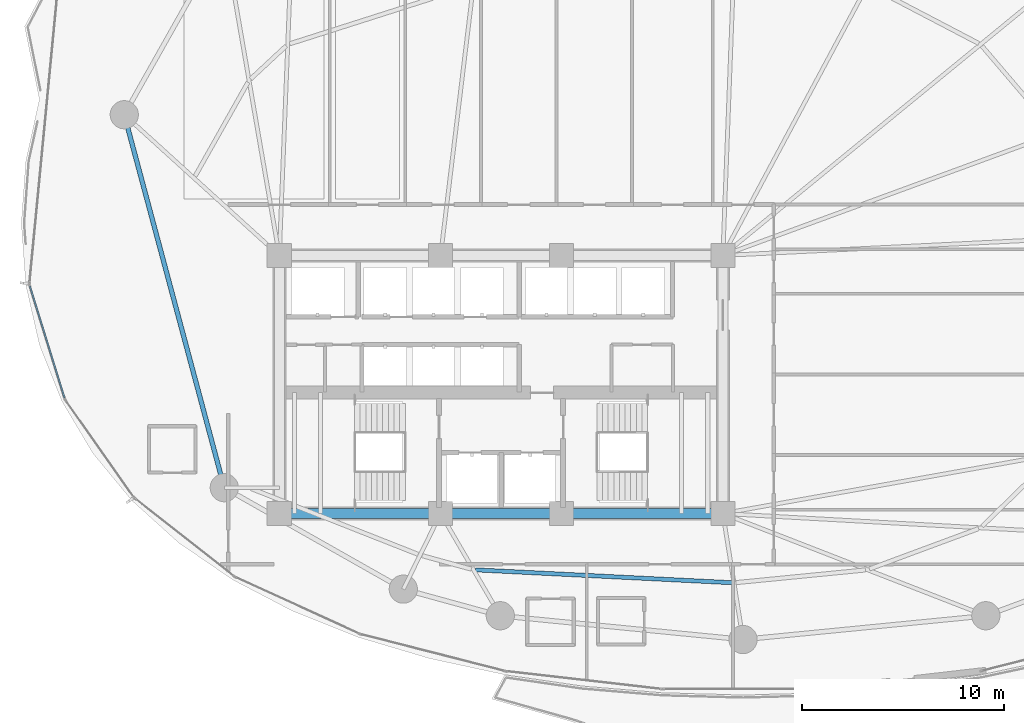
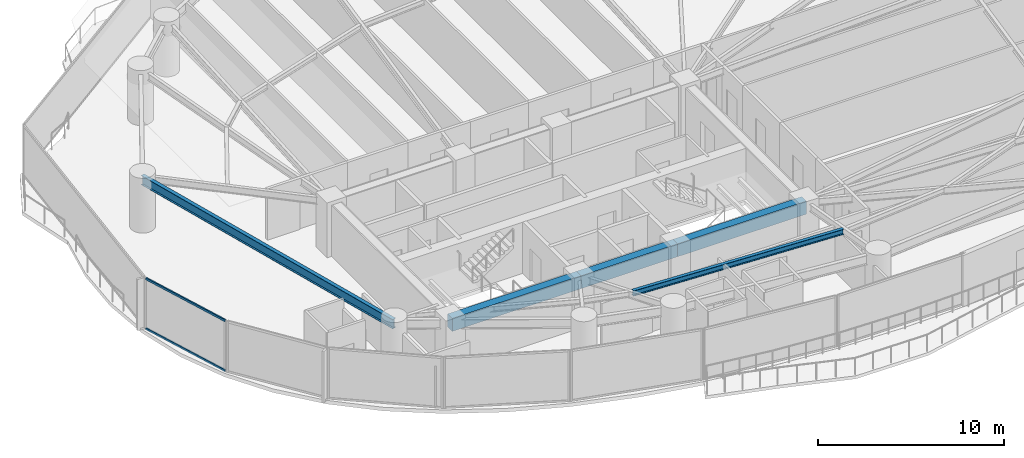
# One storey, part 7 of 32: 5 beams, 2 members, 1 element without a shape of its own.
"""IFC4 building model written with IfcOpenShell, lengths in metres."""

from ifc_helpers import new_model, si_unit, direction, frame, origin, origin_2d, place, context, subcontext, project, spatial, rectangle, hollow_rectangle, i_section, extrude, material, layer, layer_set, material_profile, profile_set, type_object, element, aggregate, save


model = new_model("IFC4")

# Units and contexts
model_context = context("Model", 3, precision=1e-05, world=origin(), true_north=direction((0.0, 1.0)))
body_context = subcontext(model_context, "Body", "Model", "MODEL_VIEW")
ifc_project = project(units=[si_unit("LENGTHUNIT", "METRE"), si_unit("AREAUNIT", "SQUARE_METRE"), si_unit("VOLUMEUNIT", "CUBIC_METRE"), si_unit("PLANEANGLEUNIT", "RADIAN"), si_unit("MASSUNIT", "GRAM", prefix="KILO")], contexts=[model_context])

# Site, building, storey
site_placement = place(None, origin())
site = spatial("IfcSite", under=ifc_project, at=site_placement, CompositionType="ELEMENT")
building_placement = place(site_placement, origin())
building = spatial("IfcBuilding", under=site, at=building_placement, Name="Kazevale Care Tower and Concert Hall", CompositionType="ELEMENT")
storey_placement = place(building_placement, frame((0.0, 0.0, 38.39990234375)))
storey = spatial("IfcBuildingStorey", under=building, at=storey_placement, Name="L09", CompositionType="ELEMENT", Elevation=38.39990234375)

# Curtain wall, members
ifc_material_1 = material(Name="Aluminium 6063-T6 and Low-E Glass", Category="aluminium")
ifc_layer = layer(ifc_material_1, 0.179931640625)
ifc_layer_set = layer_set([ifc_layer], Name="Aluminium 6063-T6 and Low-E Glass")
curtain_wall_type = type_object("IfcCurtainWallType", Name="Waist & Upper Residential Curtain Wall CW-4", PredefinedType="NOTDEFINED", material=ifc_layer_set)
curtain_wall_placement = place(storey_placement, origin())
curtain_wall = element("IfcCurtainWall", 1, at=curtain_wall_placement, inside=storey, type_object=curtain_wall_type, Name="cw:L09:f12", PredefinedType="NOTDEFINED")
ifc_material_2 = material(Name="Aluminium 6063-T6", Category="aluminium")
ifc_material_profile_1 = material_profile(ifc_material_2, hollow_rectangle(XDim=0.080078125, YDim=0.139892578125, WallThickness=0.00390625, at=origin_2d()), Name="ALU80x140x4")
ifc_profile_set_1 = profile_set([ifc_material_profile_1], Name="Aluminium 6063-T6")
member_type = type_object("IfcMemberType", Name="CW-4 Transom ALU80x140x4", PredefinedType="USERDEFINED", material=ifc_profile_set_1)
member_1_placement = place(storey_placement, frame((11.347412109375, 29.33447265625, 0.0400390625), z_axis=(-0.296117563823, 0.955151500232, 0.0), x_axis=(-0.955151500232, -0.296117563823, 0.0)))
member_1 = element("IfcMember", 2, at=member_1_placement, type_object=member_type, Name="CW-4 transom 1.1", ObjectType="TRANSOM", PredefinedType="USERDEFINED", context=body_context, shape_type="SweptSolid", body=[
    extrude(hollow_rectangle(XDim=0.080078125, YDim=0.139892578125, WallThickness=0.00390625, at=origin_2d()), origin(), (0.0, 0.0, 1.0), 5.8076171875),
])
member_2_placement = place(storey_placement, frame((11.347412109375, 29.33447265625, 3.320068359375), z_axis=(-0.296117563823, 0.955151500232, 0.0), x_axis=(-0.955151500232, -0.296117563823, 0.0)))
member_2 = element("IfcMember", 3, at=member_2_placement, type_object=member_type, Name="CW-4 transom 1.2", ObjectType="TRANSOM", PredefinedType="USERDEFINED", context=body_context, shape_type="SweptSolid", body=[
    extrude(hollow_rectangle(XDim=0.080078125, YDim=0.139892578125, WallThickness=0.00390625, at=origin_2d()), origin(), (0.0, 0.0, 1.0), 5.8076171875),
])
aggregate(curtain_wall, [member_1, member_2])

# Beams
ifc_material_3 = material(Name="Concrete C60", Category="concrete")
ifc_material_profile_2 = material_profile(ifc_material_3, rectangle(XDim=0.5, YDim=0.85009765625, at=origin_2d()), Name="RC-B500x850")
ifc_profile_set_2 = profile_set([ifc_material_profile_2], Name="Concrete C60")
beam_type_1 = type_object("IfcBeamType", Name="Core Coupling Beam RC500x850", PredefinedType="LINTEL", material=ifc_profile_set_2)
beam_1_placement = place(storey_placement, frame((22.0, 23.60009765625, 2.93505859375), z_axis=(1.0, 0.0, 0.0), x_axis=(0.0, 1.0, 0.0)))
element("IfcBeam", 4, at=beam_1_placement, inside=storey, type_object=beam_type_1, Name="beam:L09:coretie:1", PredefinedType="LINTEL", context=body_context, shape_type="SweptSolid", body=[
    extrude(rectangle(XDim=0.5, YDim=0.85009765625, at=origin_2d()), origin(), (0.0, 0.0, 1.0), 8.0),
])
beam_2_placement = place(storey_placement, frame((30.0, 23.60009765625, 2.93505859375), z_axis=(1.0, 0.0, 0.0), x_axis=(0.0, 1.0, 0.0)))
element("IfcBeam", 5, at=beam_2_placement, inside=storey, type_object=beam_type_1, Name="beam:L09:coretie:2", PredefinedType="LINTEL", context=body_context, shape_type="SweptSolid", body=[
    extrude(rectangle(XDim=0.5, YDim=0.85009765625, at=origin_2d()), origin(), (0.0, 0.0, 1.0), 6.0),
])
beam_3_placement = place(storey_placement, frame((36.0, 23.60009765625, 2.93505859375), z_axis=(1.0, 0.0, 0.0), x_axis=(0.0, 1.0, 0.0)))
element("IfcBeam", 6, at=beam_3_placement, inside=storey, type_object=beam_type_1, Name="beam:L09:coretie:3", PredefinedType="LINTEL", context=body_context, shape_type="SweptSolid", body=[
    extrude(rectangle(XDim=0.5, YDim=0.85009765625, at=origin_2d()), origin(), (0.0, 0.0, 1.0), 8.0),
])
ifc_material_4 = material(Name="Steel ASTM A572 Gr 50", Category="steel")
ifc_material_profile_3 = material_profile(ifc_material_4, i_section(OverallWidth=0.22900390625, OverallDepth=0.612060546875, WebThickness=0.011962890625, FlangeThickness=0.01953125, at=origin_2d()), Name="W610x125")
ifc_profile_set_3 = profile_set([ifc_material_profile_3], Name="Steel ASTM A572 Gr 50")
beam_type_2 = type_object("IfcBeamType", Name="Ring Spandrel Beam W610x125", PredefinedType="SPANDREL", material=ifc_profile_set_3)
beam_4_placement = place(storey_placement, frame((14.31005859375, 43.3798828125, 3.05419921875), z_axis=(0.258960352031, -0.965887952133, 0.0), x_axis=(0.965887952133, 0.258960352031, 0.0)))
element("IfcBeam", 7, at=beam_4_placement, inside=storey, type_object=beam_type_2, Name="beam:L09:ring:09", PredefinedType="SPANDREL", context=body_context, shape_type="SweptSolid", body=[
    extrude(i_section(OverallWidth=0.22900390625, OverallDepth=0.612060546875, WebThickness=0.011962890625, FlangeThickness=0.01953125, at=origin_2d()), origin(), (0.0, 0.0, 1.0), 19.1533203125),
])
ifc_material_profile_4 = material_profile(ifc_material_4, i_section(OverallWidth=0.205078125, OverallDepth=0.35400390625, WebThickness=0.009521484375, FlangeThickness=0.016845703125, at=origin_2d()), Name="W360x79")
ifc_profile_set_4 = profile_set([ifc_material_profile_4], Name="Steel ASTM A572 Gr 50")
beam_type_3 = type_object("IfcBeamType", Name="Secondary Floor Joist W360x79", PredefinedType="JOIST", material=ifc_profile_set_4)
beam_5_placement = place(storey_placement, frame((31.73291015625, 20.805908203125, 3.18310546875), z_axis=(0.998743186005, -0.050120339262, 0.0), x_axis=(0.050120339262, 0.998743186005, 0.0)))
element("IfcBeam", 8, at=beam_5_placement, inside=storey, type_object=beam_type_3, Name="beam:L09:joist:12", PredefinedType="JOIST", context=body_context, shape_type="SweptSolid", body=[
    extrude(i_section(OverallWidth=0.205078125, OverallDepth=0.35400390625, WebThickness=0.009521484375, FlangeThickness=0.016845703125, at=origin_2d()), origin(), (0.0, 0.0, 1.0), 12.728271484375),
])

save(model, "model.ifc")
